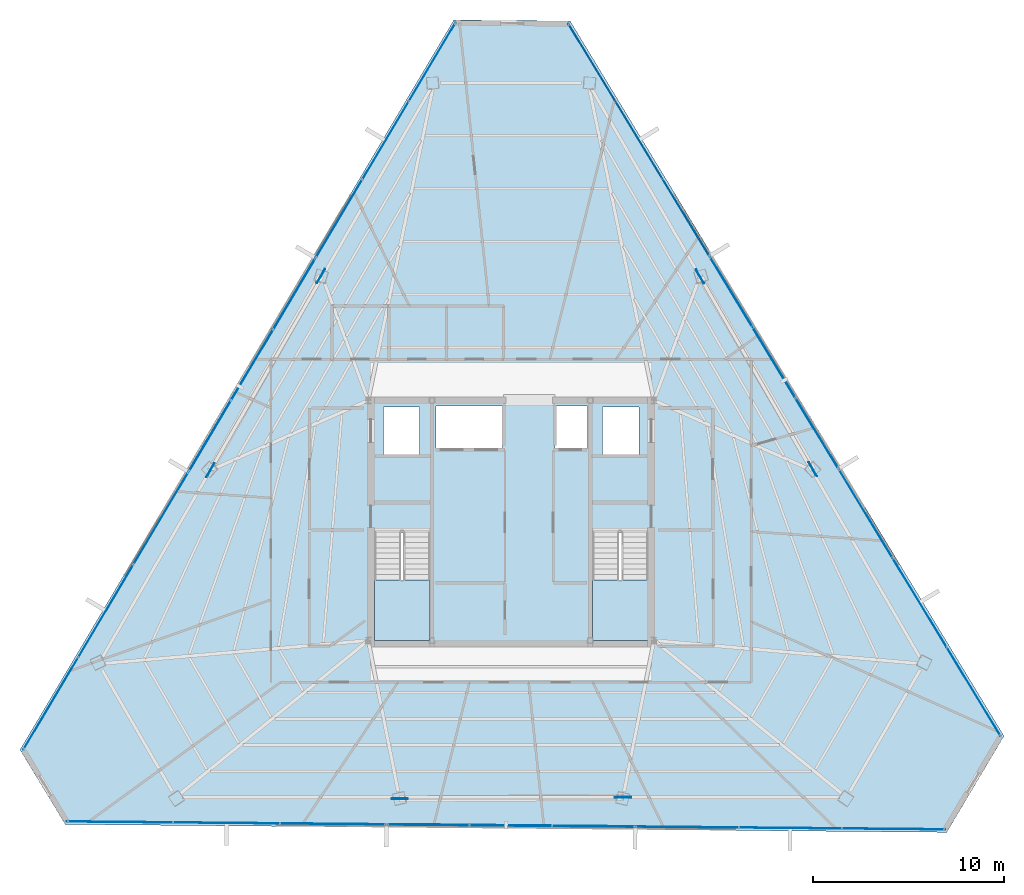
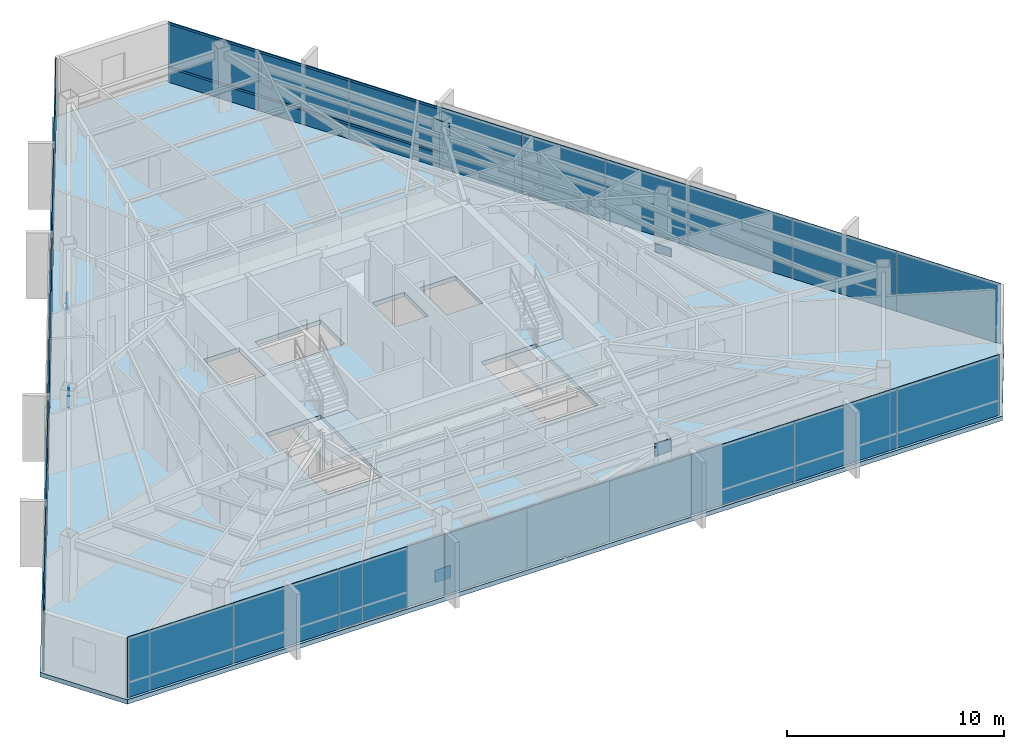
# One storey, part 35 of 42: 33 plates, 3 slabs, 2 members, 11 elements without a shape of their own.
"""IFC4 building model written with IfcOpenShell, lengths in metres."""

import ifcopenshell
import ifcopenshell.guid

model = None  # the IFC model being written
_history = None  # IfcOwnerHistory: only IFC2X3 demands one
_inside = {}  # id of a spatial element -> (the spatial element, [elements in it])
_under = {}  # id of a project, library or spatial element -> (it, [spatial elements below it])
_declared = {}  # id of a project -> (the project, [libraries it declares])
_typed = {}  # id of a type object -> (the type object, [elements of that type])
_made_of = {}  # id of a material, layer set ... -> (it, [elements and type objects made of it])


def new_model(schema):
    """Start an empty IFC model of exactly this schema.

    Asked for "IFC4X3", IfcOpenShell would pick the latest addendum, in which some entities
    have other attributes; the version numbers below select the first issue.
    IFC2X3 requires an IfcOwnerHistory on every rooted entity: one is made here for all.
    """
    global model, _history
    if schema == "IFC4X3":
        model = ifcopenshell.file(schema_version=(4, 3, 0, 0))
    else:
        model = ifcopenshell.file(schema=schema)
    _inside.clear()
    _under.clear()
    _declared.clear()
    _typed.clear()
    _made_of.clear()
    _history = None
    if model.schema == "IFC2X3":
        org = make("IfcOrganization", Name="unknown")
        user = make(
            "IfcPersonAndOrganization",
            ThePerson=make("IfcPerson", FamilyName="unknown"),
            TheOrganization=org,
        )
        app = make(
            "IfcApplication",
            ApplicationDeveloper=org,
            Version="unknown",
            ApplicationFullName="unknown",
            ApplicationIdentifier="unknown",
        )
        _history = make(
            "IfcOwnerHistory",
            OwningUser=user,
            OwningApplication=app,
            ChangeAction="ADDED",
            CreationDate=0,
        )
    return model


def make(cls, **values):
    """One entity of the class cls with the attributes given. An attribute that is None is left unset."""
    return model.create_entity(
        cls, **{name: value for name, value in values.items() if value is not None}
    )


def rooted(cls, **values):
    """An entity with a GlobalId (a new one), such as an element, a storey or a relation."""
    return make(cls, GlobalId=ifcopenshell.guid.new(), OwnerHistory=_history, **values)


def si_unit(unit_type, name, prefix=None):
    """IfcSIUnit, for example si_unit("LENGTHUNIT", "METRE", prefix="MILLI")."""
    return make("IfcSIUnit", UnitType=unit_type, Prefix=prefix, Name=name)


def assignment(units):
    """IfcUnitAssignment: the units of a project."""
    return None if units is None else make("IfcUnitAssignment", Units=units)


def point(xyz):
    """IfcCartesianPoint."""
    return None if xyz is None else make("IfcCartesianPoint", Coordinates=xyz)


def direction(xyz):
    """IfcDirection."""
    return None if xyz is None else make("IfcDirection", DirectionRatios=xyz)


def frame(location, z_axis=None, x_axis=None):
    """IfcAxis2Placement3D, a coordinate frame: its origin and axes. An axis left out is left unset."""
    return make(
        "IfcAxis2Placement3D",
        Location=point(location),
        Axis=direction(z_axis),
        RefDirection=direction(x_axis),
    )


def frame_2d(location, x_axis=None):
    """IfcAxis2Placement2D, a coordinate frame in the plane: its origin and x axis."""
    return make(
        "IfcAxis2Placement2D", Location=point(location), RefDirection=direction(x_axis)
    )


def origin():
    """The frame at (0, 0, 0) with its axes left unset."""
    return frame((0.0, 0.0, 0.0))


def origin_2d():
    """The frame at (0, 0) in the plane with its x axis left unset."""
    return frame_2d((0.0, 0.0))


def place(relative_to, where):
    """IfcLocalPlacement: puts the frame where relative to a parent placement (None: the world)."""
    return make(
        "IfcLocalPlacement", PlacementRelTo=relative_to, RelativePlacement=where
    )


def context(
    kind, dimensions, precision=None, world=None, true_north=None, identifier=None
):
    """IfcGeometricRepresentationContext, for example the 3D "Model" context."""
    return make(
        "IfcGeometricRepresentationContext",
        ContextIdentifier=identifier,
        ContextType=kind,
        CoordinateSpaceDimension=dimensions,
        Precision=precision,
        WorldCoordinateSystem=world,
        TrueNorth=true_north,
    )


def subcontext(parent, identifier, kind, view, scale=None):
    """IfcGeometricRepresentationSubContext, for example "Body" below "Model"."""
    return make(
        "IfcGeometricRepresentationSubContext",
        ContextIdentifier=identifier,
        ContextType=kind,
        ParentContext=parent,
        TargetScale=scale,
        TargetView=view,
    )


def project(units=None, contexts=None):
    """IfcProject with its units and contexts."""
    return rooted(
        "IfcProject",
        Name="project",
        RepresentationContexts=contexts,
        UnitsInContext=assignment(units),
    )


def spatial(cls, under=None, at=None, **own):
    """A site, building, storey or space (cls), placed at a placement, below another one or the project."""
    s = rooted(cls, ObjectPlacement=at, **own)
    if under is not None:
        _under.setdefault(under.id(), (under, []))[1].append(s)
    return s


def polyline(points):
    """IfcPolyline through the points."""
    return make("IfcPolyline", Points=[point(p) for p in points])


def profile(cls, at=None, kind="AREA", **sizes):
    """A parametric profile (cls). Its sizes go by their IFC names, for example OverallWidth=200.0."""
    return make(cls, ProfileType=kind, Position=at, **sizes)


def rectangle(**sizes):
    """IfcRectangleProfileDef."""
    return profile("IfcRectangleProfileDef", **sizes)


def hollow_rectangle(**sizes):
    """IfcRectangleHollowProfileDef."""
    return profile("IfcRectangleHollowProfileDef", **sizes)


def outline(outer, holes=None, kind="AREA"):
    """IfcArbitraryClosedProfileDef: a profile drawn as a closed curve; with holes, ...WithVoids."""
    if holes is None:
        return make("IfcArbitraryClosedProfileDef", ProfileType=kind, OuterCurve=outer)
    return make(
        "IfcArbitraryProfileDefWithVoids",
        ProfileType=kind,
        OuterCurve=outer,
        InnerCurves=holes,
    )


def extrude(swept, where, along, depth):
    """IfcExtrudedAreaSolid: the profile swept, set in the frame where, extruded along a direction by depth."""
    return make(
        "IfcExtrudedAreaSolid",
        SweptArea=swept,
        Position=where,
        ExtrudedDirection=direction(along),
        Depth=depth,
    )


def shape(context_of_items, identifier, shape_type, items):
    """IfcShapeRepresentation: the items that make up one representation, for example the "Body"."""
    return make(
        "IfcShapeRepresentation",
        ContextOfItems=context_of_items,
        RepresentationIdentifier=identifier,
        RepresentationType=shape_type,
        Items=items,
    )


def source(mapping_origin, context_of_items, identifier, shape_type, items):
    """IfcRepresentationMap: a shape defined once, which mapped items show again and again."""
    return make(
        "IfcRepresentationMap",
        MappingOrigin=mapping_origin,
        MappedRepresentation=shape(context_of_items, identifier, shape_type, items),
    )


def transform(
    local_origin,
    x_axis=None,
    y_axis=None,
    z_axis=None,
    scale=None,
    scale2=None,
    scale3=None,
    uniform=True,
):
    """IfcCartesianTransformationOperator3D, or its non-uniform kind. x_axis, y_axis, z_axis: its Axis1, 2, 3."""
    if uniform:
        return make(
            "IfcCartesianTransformationOperator3D",
            Axis1=direction(x_axis),
            Axis2=direction(y_axis),
            LocalOrigin=point(local_origin),
            Scale=scale,
            Axis3=direction(z_axis),
        )
    return make(
        "IfcCartesianTransformationOperator3DnonUniform",
        Axis1=direction(x_axis),
        Axis2=direction(y_axis),
        LocalOrigin=point(local_origin),
        Scale=scale,
        Axis3=direction(z_axis),
        Scale2=scale2,
        Scale3=scale3,
    )


def mapped(mapping_source, mapping_target):
    """IfcMappedItem: shows the shape of a source again, moved by a transform."""
    return make(
        "IfcMappedItem", MappingSource=mapping_source, MappingTarget=mapping_target
    )


def material(Name=None, Category=None):
    """IfcMaterial."""
    return make("IfcMaterial", Name=Name, Category=Category)


def layer(
    of_material, thickness, ventilated=None, Name=None, Category=None, Priority=None
):
    """IfcMaterialLayer: one layer of a wall or slab, of a material (None: an air gap)."""
    return make(
        "IfcMaterialLayer",
        Material=of_material,
        LayerThickness=thickness,
        IsVentilated=ventilated,
        Name=Name,
        Category=Category,
        Priority=Priority,
    )


def layer_set(layers, Name=None):
    """IfcMaterialLayerSet."""
    return make("IfcMaterialLayerSet", MaterialLayers=layers, LayerSetName=Name)


def material_profile(
    of_material, cross_section, Name=None, Category=None, Priority=None
):
    """IfcMaterialProfile: a cross section and its material."""
    return make(
        "IfcMaterialProfile",
        Name=Name,
        Material=of_material,
        Profile=cross_section,
        Priority=Priority,
        Category=Category,
    )


def profile_set(profiles, Name=None, composite=None):
    """IfcMaterialProfileSet."""
    return make(
        "IfcMaterialProfileSet",
        Name=Name,
        MaterialProfiles=profiles,
        CompositeProfile=composite,
    )


def made_of(thing, what):
    """Note that an element or type object is made of a material, layer set ...; save() writes the relation."""
    if what is not None:
        _made_of.setdefault(what.id(), (what, []))[1].append(thing)
    return thing


def type_object(cls, material=None, **own):
    """A type object (cls), such as IfcWallType, which elements share."""
    return made_of(rooted(cls, **own), material)


def type_shapes(of_type, sources):
    """Give a type object the sources (RepresentationMaps) that its elements show as mapped items."""
    of_type.RepresentationMaps = sources


def element(
    cls,
    number,
    at=None,
    inside=None,
    cuts=None,
    type_object=None,
    material=None,
    context=None,
    identifier="Body",
    shape_type=None,
    held_by="IfcProductDefinitionShape",
    body=None,
    shapes=None,
    **own,
):
    """One element of the class cls, such as IfcWall. Its Tag is "e" and its number.

    at: its placement. inside: the storey or other place that contains it. cuts: it is an
    opening in that element (IfcRelVoidsElement). A single representation is given by context,
    identifier, shape_type and body (its items); several are given by shapes. held_by: the class
    of the entity that holds the representations. save() writes the other relations.
    """
    e = rooted(cls, Tag="e%d" % number, ObjectPlacement=at, **own)
    if body is not None:
        shapes = [shape(context, identifier, shape_type, body)]
    if shapes is not None:
        e.Representation = make(held_by, Representations=shapes)
    if inside is not None:
        _inside.setdefault(inside.id(), (inside, []))[1].append(e)
    if cuts is not None:
        rooted(
            "IfcRelVoidsElement", RelatingBuildingElement=cuts, RelatedOpeningElement=e
        )
    if type_object is not None:
        _typed.setdefault(type_object.id(), (type_object, []))[1].append(e)
    return made_of(e, material)


def aggregate(whole, parts):
    """IfcRelAggregates: a whole, such as a stair, and the parts it consists of."""
    return rooted("IfcRelAggregates", RelatingObject=whole, RelatedObjects=parts)


def save(model, path):
    """Write the relations noted so far, then the file.

    IfcRelAggregates (storeys below a building ...), IfcRelContainedInSpatialStructure (elements
    in a storey), IfcRelDefinesByType, IfcRelAssociatesMaterial and IfcRelDeclares: one each for
    every whole, place, type object, material and project.
    """
    for whole, parts in _under.values():
        aggregate(whole, parts)
    for where, things in _inside.values():
        rooted(
            "IfcRelContainedInSpatialStructure",
            RelatedElements=things,
            RelatingStructure=where,
        )
    for kind, things in _typed.values():
        rooted("IfcRelDefinesByType", RelatedObjects=things, RelatingType=kind)
    for what, things in _made_of.values():
        rooted("IfcRelAssociatesMaterial", RelatedObjects=things, RelatingMaterial=what)
    for by, libraries in _declared.values():
        rooted("IfcRelDeclares", RelatingContext=by, RelatedDefinitions=libraries)
    model.write(path)


model = new_model("IFC4")

# Units and contexts
model_context = context("Model", 3, precision=1e-05, world=origin(), true_north=direction((0.0, 1.0)))
body_context = subcontext(model_context, "Body", "Model", "MODEL_VIEW")
ifc_project = project(units=[si_unit("LENGTHUNIT", "METRE"), si_unit("AREAUNIT", "SQUARE_METRE"), si_unit("VOLUMEUNIT", "CUBIC_METRE"), si_unit("PLANEANGLEUNIT", "RADIAN"), si_unit("MASSUNIT", "GRAM", prefix="KILO")], contexts=[model_context])

# Site, building, storey
site_placement = place(None, origin())
site = spatial("IfcSite", under=ifc_project, at=site_placement, CompositionType="ELEMENT")
building_placement = place(site_placement, origin())
building = spatial("IfcBuilding", under=site, at=building_placement, Name="Caelisora Broadcast Tower", CompositionType="ELEMENT")
storey_placement = place(building_placement, frame((0.0, 0.0, 244.449951171875)))
storey = spatial("IfcBuildingStorey", under=building, at=storey_placement, Name="L64", CompositionType="ELEMENT", Elevation=244.449951171875)

# Curtain wall, members
ifc_material_1 = material(Name="Unitised Aluminium and Low-E Glass Curtain Wall", Category="glass")
curtain_wall_type_1 = type_object("IfcCurtainWallType", Name="CW-Z5", PredefinedType="NOTDEFINED", material=ifc_material_1)
curtain_wall_1_placement = place(storey_placement, origin())
curtain_wall_1 = element("IfcCurtainWall", 1, at=curtain_wall_1_placement, inside=storey, type_object=curtain_wall_type_1, Name="L64 curtain wall CW-Z5", PredefinedType="NOTDEFINED")
ifc_material_2 = material(Name="Aluminium 6063-T6 Anodised Terracotta Bronze", Category="aluminium")
ifc_material_profile = material_profile(ifc_material_2, hollow_rectangle(XDim=0.06005859375, YDim=0.1201171875, WallThickness=0.0029296875, at=origin_2d()), Name="Aluminium 6063-T6 Anodised Terracotta Bronze")
ifc_profile_set = profile_set([ifc_material_profile], Name="Aluminium 6063-T6 Anodised Terracotta Bronze")
member_type = type_object("IfcMemberType", Name="CWT-03", PredefinedType="USERDEFINED", material=ifc_profile_set)
shared_shape_1 = source(origin(), body_context, "Body", "SweptSolid", [
    extrude(hollow_rectangle(XDim=0.06005859375, YDim=0.1201171875, WallThickness=0.0029296875, at=origin_2d()), origin(), (0.0, 0.0, 1.0), 14.152099609375),
])
type_shapes(member_type, [shared_shape_1])
member_1_placement = place(storey_placement, frame((41.039794921875, 49.71435546875, 0.85009765625), z_axis=(0.518741325357, -0.854931247158, 0.0), x_axis=(0.854931247158, 0.518741325357, 0.0)))
member_1 = element("IfcMember", 2, at=member_1_placement, type_object=member_type, Name="L64-CW-B01 transom #1", ObjectType="TRANSOM", PredefinedType="USERDEFINED", context=body_context, shape_type="MappedRepresentation", body=[
    mapped(shared_shape_1, transform((0.0, 0.0, 0.0), scale=1.0)),
])
member_2_placement = place(storey_placement, frame((41.039794921875, 49.71435546875, 3.320068359375), z_axis=(0.518741325357, -0.854931247158, 0.0), x_axis=(0.854931247158, 0.518741325357, 0.0)))
member_2 = element("IfcMember", 3, at=member_2_placement, type_object=member_type, Name="L64-CW-B01 transom #2", ObjectType="TRANSOM", PredefinedType="USERDEFINED", context=body_context, shape_type="MappedRepresentation", body=[
    mapped(shared_shape_1, transform((0.0, 0.0, 0.0), scale=1.0)),
])

# Slab
ifc_material_3 = material(Name="Concrete 40 MPa (AS 3600 N40)", Category="concrete")
ifc_layer_1 = layer(ifc_material_3, 0.25, Name="Concrete 40 MPa (AS 3600 N40)")
ifc_layer_set_1 = layer_set([ifc_layer_1], Name="Concrete 40 MPa (AS 3600 N40)")
slab_type_1 = type_object("IfcSlabType", Name="SL04", PredefinedType="FLOOR", material=ifc_layer_set_1)
slab_1_placement = place(storey_placement, frame((0.0, 0.0, -0.25)))
element("IfcSlab", 4, at=slab_1_placement, inside=storey, type_object=slab_type_1, Name="L64 suspended floor SL04", PredefinedType="FLOOR", context=body_context, shape_type="SweptSolid", body=[
    extrude(outline(polyline([(41.09912109375, 49.906005859375), (34.99609375, 49.9609375), (12.22900390625, 11.6640625), (14.60400390625, 7.75), (60.861083984375, 7.3330078125), (63.864990234375, 12.385009765625), (41.09912109375, 49.906005859375)]), holes=[polyline([(30.820068359375, 17.39990234375), (33.739990234375, 17.39990234375), (33.739990234375, 23.080078125), (30.820068359375, 23.080078125), (30.820068359375, 17.39990234375)]), polyline([(42.260009765625, 17.39990234375), (45.179931640625, 17.39990234375), (45.179931640625, 23.080078125), (42.260009765625, 23.080078125), (42.260009765625, 17.39990234375)]), polyline([(42.800048828125, 27.14990234375), (44.699951171875, 27.14990234375), (44.699951171875, 29.64990234375), (42.800048828125, 29.64990234375), (42.800048828125, 27.14990234375)]), polyline([(40.300048828125, 27.5), (42.0, 27.5), (42.0, 29.699951171875), (40.300048828125, 29.699951171875), (40.300048828125, 27.5)]), polyline([(34.050048828125, 27.5), (37.550048828125, 27.5), (37.550048828125, 29.699951171875), (34.050048828125, 29.699951171875), (34.050048828125, 27.5)]), polyline([(31.300048828125, 27.14990234375), (33.199951171875, 27.14990234375), (33.199951171875, 29.64990234375), (31.300048828125, 29.64990234375), (31.300048828125, 27.14990234375)])]), origin(), (0.0, 0.0, 1.0), 0.25),
])

# Stair, slab
stair_type_1 = type_object("IfcStairType", Name="ST-1", PredefinedType="HALF_TURN_STAIR", material=ifc_material_3)
stair_1_placement = place(storey_placement, origin())
stair_1 = element("IfcStair", 5, at=stair_1_placement, inside=storey, type_object=stair_type_1, Name="L64 West Fire-Isolated Tower Stair", PredefinedType="HALF_TURN_STAIR")
ifc_layer_2 = layer(ifc_material_3, 0.199951171875, Name="Concrete 40 MPa (AS 3600 N40)")
ifc_layer_set_2 = layer_set([ifc_layer_2], Name="Concrete 40 MPa (AS 3600 N40)")
slab_type_2 = type_object("IfcSlabType", Name="STL-1", PredefinedType="LANDING", material=ifc_layer_set_2)
slab_2_placement = place(storey_placement, frame((0.0, 0.0, 1.625)))
slab_2 = element("IfcSlab", 6, at=slab_2_placement, type_object=slab_type_2, Name="ST-1 landing 1", PredefinedType="LANDING", context=body_context, shape_type="SweptSolid", body=[
    extrude(outline(polyline([(30.820068359375, 20.580078125), (30.820068359375, 17.39990234375), (33.739990234375, 17.39990234375), (33.739990234375, 20.580078125), (30.820068359375, 20.580078125)])), origin(), (0.0, 0.0, 1.0), 0.199951171875),
])
aggregate(stair_1, [slab_2])

stair_type_2 = type_object("IfcStairType", Name="ST-2", PredefinedType="HALF_TURN_STAIR", material=ifc_material_3)
stair_2_placement = place(storey_placement, origin())
stair_2 = element("IfcStair", 7, at=stair_2_placement, inside=storey, type_object=stair_type_2, Name="L64 East Fire-Isolated Tower Stair", PredefinedType="HALF_TURN_STAIR")
slab_3_placement = place(storey_placement, frame((0.0, 0.0, 1.625)))
slab_3 = element("IfcSlab", 8, at=slab_3_placement, type_object=slab_type_2, Name="ST-2 landing 1", PredefinedType="LANDING", context=body_context, shape_type="SweptSolid", body=[
    extrude(outline(polyline([(42.260009765625, 20.580078125), (42.260009765625, 17.39990234375), (45.179931640625, 17.39990234375), (45.179931640625, 20.580078125), (42.260009765625, 20.580078125)])), origin(), (0.0, 0.0, 1.0), 0.199951171875),
])
aggregate(stair_2, [slab_3])

# Plates
ifc_material_4 = material(Name="Steel Grade 350 L15 (AS/NZS 3678)", Category="steel")
ifc_layer_3 = layer(ifc_material_4, 0.0400390625, Name="Steel Grade 350 L15 (AS/NZS 3678)")
ifc_layer_set_3 = layer_set([ifc_layer_3], Name="Steel Grade 350 L15 (AS/NZS 3678)")
plate_type_1 = type_object("IfcPlateType", Name="GP04", PredefinedType="USERDEFINED", material=ifc_layer_set_3)
shared_shape_2 = source(origin(), body_context, "Body", "SweptSolid", [
    extrude(rectangle(XDim=0.85009765625, YDim=0.0400390625, at=origin_2d()), origin(), (0.0, 0.0, 1.0), 0.699951171875),
])
type_shapes(plate_type_1, [shared_shape_2])
for number, where, z_axis, x_axis, name in (
    (9, (28.017578125, 36.51953125, -0.22998046875), (0.0, 0.0, 1.0), (-0.5, -0.866025403784, 0.0), "L64 gusset plate GP04 (ND-L64-C02B)"),
    (10, (22.220947265625, 26.3349609375, 2.72998046875), (0.0, 0.0, 1.0), (-0.5, -0.866025403784, 0.0), "L64 gusset plate GP04 (ND-L64-C03T)"),
    (11, (32.14892578125, 9.09521484375, -0.22998046875), (0.0, 0.0, 1.0), (1.0, 0.0, 0.0), "L64 gusset plate GP04 (ND-L64-C06B)"),
    (12, (43.867431640625, 9.16748046875, 2.72998046875), (0.0, 0.0, 1.0), (1.0, 0.0, 0.0), "L64 gusset plate GP04 (ND-L64-C07T)"),
    (13, (53.83349609375, 26.38525390625, -0.22998046875), (0.0, 0.0, 1.0), (-0.5, 0.866025403784, 0.0), "L64 gusset plate GP04 (ND-L64-C10B)"),
    (14, (47.91162109375, 36.49755859375, 2.72998046875), (0.0, 0.0, 1.0), (-0.5, 0.866025403784, 0.0), "L64 gusset plate GP04 (ND-L64-C11T)"),
):
    element("IfcPlate", number, at=place(storey_placement, frame(where, z_axis=z_axis, x_axis=x_axis)), inside=storey, type_object=plate_type_1, Name=name, ObjectType="GUSSET PLATE", PredefinedType="USERDEFINED", context=body_context, shape_type="MappedRepresentation", body=[
        mapped(shared_shape_2, transform((0.0, 0.0, 0.0), scale=1.0)),
    ])

# Plate
ifc_material_5 = material(Name="Double Glazed Low-E Argon IGU", Category="glass")
ifc_layer_4 = layer(ifc_material_5, 0.028076171875, Name="Double Glazed Low-E Argon IGU")
ifc_layer_set_4 = layer_set([ifc_layer_4], Name="Double Glazed Low-E Argon IGU")
plate_type_2 = type_object("IfcPlateType", Name="CWP-06", PredefinedType="CURTAIN_PANEL", material=ifc_layer_set_4)
shared_shape_3 = source(origin(), body_context, "Body", "SweptSolid", [
    extrude(rectangle(XDim=4.750732421875, YDim=0.028076171875, at=origin_2d()), origin(), (0.0, 0.0, 1.0), 3.39990234375),
])
plate_1_placement = place(storey_placement, frame((42.24609375, 47.726318359375, 0.0), z_axis=(0.0, 0.0, 1.0), x_axis=(0.518773258161, -0.854911870673, 0.0)))
plate_1 = element("IfcPlate", 15, at=plate_1_placement, type_object=plate_type_2, Name="L64-CW-B01 glazed panel #1", PredefinedType="CURTAIN_PANEL", context=body_context, shape_type="MappedRepresentation", body=[
    mapped(shared_shape_3, transform((0.0, 0.0, 0.0), scale=1.0)),
])

plate_2_placement = place(storey_placement, frame((44.71044921875, 43.664794921875, 0.0), z_axis=(0.0, 0.0, 1.0), x_axis=(0.518773258161, -0.854911870673, 0.0)))
plate_2 = element("IfcPlate", 16, at=plate_2_placement, type_object=plate_type_2, Name="L64-CW-B01 glazed panel #2", PredefinedType="CURTAIN_PANEL", context=body_context, shape_type="MappedRepresentation", body=[
    mapped(shared_shape_3, transform((0.0, 0.0, 0.0), scale=1.0)),
])

plate_3_placement = place(storey_placement, frame((47.1748046875, 39.603271484375, 0.0), z_axis=(0.0, 0.0, 1.0), x_axis=(0.518773258161, -0.854911870673, 0.0)))
plate_3 = element("IfcPlate", 17, at=plate_3_placement, type_object=plate_type_2, Name="L64-CW-B01 glazed panel #3", PredefinedType="CURTAIN_PANEL", context=body_context, shape_type="MappedRepresentation", body=[
    mapped(shared_shape_3, transform((0.0, 0.0, 0.0), scale=1.0)),
])

aggregate(curtain_wall_1, [member_1, member_2, plate_1, plate_2, plate_3])

# Curtain wall, plates
ifc_material_6 = material(Name="Unitised Aluminium Insulated Shadow-Box Spandrel Curtain Wall", Category="aluminium")
curtain_wall_type_2 = type_object("IfcCurtainWallType", Name="CW-SP3", PredefinedType="NOTDEFINED", material=ifc_material_6)
curtain_wall_2_placement = place(storey_placement, origin())
curtain_wall_2 = element("IfcCurtainWall", 18, at=curtain_wall_2_placement, inside=storey, type_object=curtain_wall_type_2, Name="L64 curtain wall CW-SP3", PredefinedType="NOTDEFINED")
ifc_material_7 = material(Name="Insulated Terracotta Shadow-Box Spandrel Panel", Category="aluminium")
ifc_layer_5 = layer(ifc_material_7, 0.0439453125, Name="Insulated Terracotta Shadow-Box Spandrel Panel")
ifc_layer_set_5 = layer_set([ifc_layer_5], Name="Insulated Terracotta Shadow-Box Spandrel Panel")
plate_type_3 = type_object("IfcPlateType", Name="CWP-10", PredefinedType="CURTAIN_PANEL", material=ifc_layer_set_5)
shared_shape_4 = source(origin(), body_context, "Body", "SweptSolid", [
    extrude(rectangle(XDim=4.346435546875, YDim=0.0439453125, at=origin_2d()), origin(), (0.0, 0.0, 1.0), 3.39990234375),
])
plate_4_placement = place(storey_placement, frame((49.539306640625, 35.7060546875, 0.0), z_axis=(0.0, 0.0, 1.0), x_axis=(0.518773258161, -0.854911870673, 0.0)))
plate_4 = element("IfcPlate", 19, at=plate_4_placement, type_object=plate_type_3, Name="L64-CW-B02 spandrel panel #1", PredefinedType="CURTAIN_PANEL", context=body_context, shape_type="MappedRepresentation", body=[
    mapped(shared_shape_4, transform((0.0, 0.0, 0.0), scale=1.0)),
])
plate_5_placement = place(storey_placement, frame((51.794189453125, 31.989990234375, 0.0), z_axis=(0.0, 0.0, 1.0), x_axis=(0.518773258161, -0.854911870673, 0.0)))
plate_5 = element("IfcPlate", 20, at=plate_5_placement, type_object=plate_type_3, Name="L64-CW-B02 spandrel panel #2", PredefinedType="CURTAIN_PANEL", context=body_context, shape_type="MappedRepresentation", body=[
    mapped(shared_shape_4, transform((0.0, 0.0, 0.0), scale=1.0)),
])
plate_6_placement = place(storey_placement, frame((54.048583984375, 28.274169921875, 0.0), z_axis=(0.0, 0.0, 1.0), x_axis=(0.518773258161, -0.854911870673, 0.0)))
plate_6 = element("IfcPlate", 21, at=plate_6_placement, type_object=plate_type_3, Name="L64-CW-B02 spandrel panel #3", PredefinedType="CURTAIN_PANEL", context=body_context, shape_type="MappedRepresentation", body=[
    mapped(shared_shape_4, transform((0.0, 0.0, 0.0), scale=1.0)),
])
aggregate(curtain_wall_2, [plate_4, plate_5, plate_6])

curtain_wall_3_placement = place(storey_placement, origin())
curtain_wall_3 = element("IfcCurtainWall", 22, at=curtain_wall_3_placement, inside=storey, type_object=curtain_wall_type_1, Name="L64 curtain wall CW-Z5", PredefinedType="NOTDEFINED")
shared_shape_5 = source(origin(), body_context, "Body", "SweptSolid", [
    extrude(rectangle(XDim=5.4677734375, YDim=0.028076171875, at=origin_2d()), origin(), (0.0, 0.0, 1.0), 3.39990234375),
])
plate_7_placement = place(storey_placement, frame((56.599365234375, 24.0703125, 0.0), z_axis=(0.0, 0.0, 1.0), x_axis=(0.518773258161, -0.854911870673, 0.0)))
plate_7 = element("IfcPlate", 23, at=plate_7_placement, type_object=plate_type_2, Name="L64-CW-B03 glazed panel #1", PredefinedType="CURTAIN_PANEL", context=body_context, shape_type="MappedRepresentation", body=[
    mapped(shared_shape_5, transform((0.0, 0.0, 0.0), scale=1.0)),
])
plate_8_placement = place(storey_placement, frame((59.435546875, 19.395751953125, 0.0), z_axis=(0.0, 0.0, 1.0), x_axis=(0.518773258161, -0.854911870673, 0.0)))
plate_8 = element("IfcPlate", 24, at=plate_8_placement, type_object=plate_type_2, Name="L64-CW-B03 glazed panel #2", PredefinedType="CURTAIN_PANEL", context=body_context, shape_type="MappedRepresentation", body=[
    mapped(shared_shape_5, transform((0.0, 0.0, 0.0), scale=1.0)),
])
plate_9_placement = place(storey_placement, frame((62.27197265625, 14.72119140625, 0.0), z_axis=(0.0, 0.0, 1.0), x_axis=(0.518773258161, -0.854911870673, 0.0)))
plate_9 = element("IfcPlate", 25, at=plate_9_placement, type_object=plate_type_2, Name="L64-CW-B03 glazed panel #3", PredefinedType="CURTAIN_PANEL", context=body_context, shape_type="MappedRepresentation", body=[
    mapped(shared_shape_5, transform((0.0, 0.0, 0.0), scale=1.0)),
])
aggregate(curtain_wall_3, [plate_7, plate_8, plate_9])

curtain_wall_4_placement = place(storey_placement, origin())
curtain_wall_4 = element("IfcCurtainWall", 26, at=curtain_wall_4_placement, inside=storey, type_object=curtain_wall_type_1, Name="L64 curtain wall CW-Z5", PredefinedType="NOTDEFINED")
shared_shape_6 = source(origin(), body_context, "Body", "SweptSolid", [
    extrude(rectangle(XDim=5.419677734375, YDim=0.028076171875, at=origin_2d()), origin(), (0.0, 0.0, 1.0), 3.39990234375),
])
plate_10_placement = place(storey_placement, frame((58.06640625, 7.50830078125, 0.0), z_axis=(0.0, 0.0, 1.0), x_axis=(-0.999958816008, 0.009075587519, 0.0)))
plate_10 = element("IfcPlate", 27, at=plate_10_placement, type_object=plate_type_2, Name="L64-CW-B05 glazed panel #1", PredefinedType="CURTAIN_PANEL", context=body_context, shape_type="MappedRepresentation", body=[
    mapped(shared_shape_6, transform((0.0, 0.0, 0.0), scale=1.0)),
])
plate_11_placement = place(storey_placement, frame((52.64697265625, 7.55712890625, 0.0), z_axis=(0.0, 0.0, 1.0), x_axis=(-0.999958816008, 0.009075587519, 0.0)))
plate_11 = element("IfcPlate", 28, at=plate_11_placement, type_object=plate_type_2, Name="L64-CW-B05 glazed panel #2", PredefinedType="CURTAIN_PANEL", context=body_context, shape_type="MappedRepresentation", body=[
    mapped(shared_shape_6, transform((0.0, 0.0, 0.0), scale=1.0)),
])
plate_12_placement = place(storey_placement, frame((47.2275390625, 7.60595703125, 0.0), z_axis=(0.0, 0.0, 1.0), x_axis=(-0.999958816008, 0.009075587519, 0.0)))
plate_12 = element("IfcPlate", 29, at=plate_12_placement, type_object=plate_type_2, Name="L64-CW-B05 glazed panel #3", PredefinedType="CURTAIN_PANEL", context=body_context, shape_type="MappedRepresentation", body=[
    mapped(shared_shape_6, transform((0.0, 0.0, 0.0), scale=1.0)),
])
aggregate(curtain_wall_4, [plate_10, plate_11, plate_12])

curtain_wall_5_placement = place(storey_placement, origin())
curtain_wall_5 = element("IfcCurtainWall", 30, at=curtain_wall_5_placement, inside=storey, type_object=curtain_wall_type_2, Name="L64 curtain wall CW-SP3", PredefinedType="NOTDEFINED")
shared_shape_7 = source(origin(), body_context, "Body", "SweptSolid", [
    extrude(rectangle(XDim=4.34716796875, YDim=0.0439453125, at=origin_2d()), origin(), (0.0, 0.0, 1.0), 3.39990234375),
])
plate_13_placement = place(storey_placement, frame((42.334228515625, 7.650146484375, 0.0), z_axis=(0.0, 0.0, 1.0), x_axis=(-0.999958816008, 0.009075587519, 0.0)))
plate_13 = element("IfcPlate", 31, at=plate_13_placement, type_object=plate_type_3, Name="L64-CW-B06 spandrel panel #1", PredefinedType="CURTAIN_PANEL", context=body_context, shape_type="MappedRepresentation", body=[
    mapped(shared_shape_7, transform((0.0, 0.0, 0.0), scale=1.0)),
])
plate_14_placement = place(storey_placement, frame((37.9873046875, 7.689208984375, 0.0), z_axis=(0.0, 0.0, 1.0), x_axis=(-0.999958816008, 0.009075587519, 0.0)))
plate_14 = element("IfcPlate", 32, at=plate_14_placement, type_object=plate_type_3, Name="L64-CW-B06 spandrel panel #2", PredefinedType="CURTAIN_PANEL", context=body_context, shape_type="MappedRepresentation", body=[
    mapped(shared_shape_7, transform((0.0, 0.0, 0.0), scale=1.0)),
])
plate_15_placement = place(storey_placement, frame((33.640380859375, 7.728271484375, 0.0), z_axis=(0.0, 0.0, 1.0), x_axis=(-0.999958816008, 0.009075587519, 0.0)))
plate_15 = element("IfcPlate", 33, at=plate_15_placement, type_object=plate_type_3, Name="L64-CW-B06 spandrel panel #3", PredefinedType="CURTAIN_PANEL", context=body_context, shape_type="MappedRepresentation", body=[
    mapped(shared_shape_7, transform((0.0, 0.0, 0.0), scale=1.0)),
])
aggregate(curtain_wall_5, [plate_13, plate_14, plate_15])

curtain_wall_6_placement = place(storey_placement, origin())
curtain_wall_6 = element("IfcCurtainWall", 34, at=curtain_wall_6_placement, inside=storey, type_object=curtain_wall_type_1, Name="L64 curtain wall CW-Z5", PredefinedType="NOTDEFINED")
shared_shape_8 = source(origin(), body_context, "Body", "SweptSolid", [
    extrude(rectangle(XDim=5.589599609375, YDim=0.028076171875, at=origin_2d()), origin(), (0.0, 0.0, 1.0), 3.39990234375),
])
plate_16_placement = place(storey_placement, frame((28.662109375, 7.773193359375, 0.0), z_axis=(0.0, 0.0, 1.0), x_axis=(-0.999958816008, 0.009075587519, 0.0)))
plate_16 = element("IfcPlate", 35, at=plate_16_placement, type_object=plate_type_2, Name="L64-CW-B07 glazed panel #1", PredefinedType="CURTAIN_PANEL", context=body_context, shape_type="MappedRepresentation", body=[
    mapped(shared_shape_8, transform((0.0, 0.0, 0.0), scale=1.0)),
])
plate_17_placement = place(storey_placement, frame((23.072998046875, 7.823486328125, 0.0), z_axis=(0.0, 0.0, 1.0), x_axis=(-0.999958816008, 0.009075587519, 0.0)))
plate_17 = element("IfcPlate", 36, at=plate_17_placement, type_object=plate_type_2, Name="L64-CW-B07 glazed panel #2", PredefinedType="CURTAIN_PANEL", context=body_context, shape_type="MappedRepresentation", body=[
    mapped(shared_shape_8, transform((0.0, 0.0, 0.0), scale=1.0)),
])
plate_18_placement = place(storey_placement, frame((17.483642578125, 7.873779296875, 0.0), z_axis=(0.0, 0.0, 1.0), x_axis=(-0.999958816008, 0.009075587519, 0.0)))
plate_18 = element("IfcPlate", 37, at=plate_18_placement, type_object=plate_type_2, Name="L64-CW-B07 glazed panel #3", PredefinedType="CURTAIN_PANEL", context=body_context, shape_type="MappedRepresentation", body=[
    mapped(shared_shape_8, transform((0.0, 0.0, 0.0), scale=1.0)),
])
aggregate(curtain_wall_6, [plate_16, plate_17, plate_18])

curtain_wall_7_placement = place(storey_placement, origin())
curtain_wall_7 = element("IfcCurtainWall", 38, at=curtain_wall_7_placement, inside=storey, type_object=curtain_wall_type_1, Name="L64 curtain wall CW-Z5", PredefinedType="NOTDEFINED")
shared_shape_9 = source(origin(), body_context, "Body", "SweptSolid", [
    extrude(rectangle(XDim=5.654052734375, YDim=0.028076171875, at=origin_2d()), origin(), (0.0, 0.0, 1.0), 3.39990234375),
])
plate_19_placement = place(storey_placement, frame((13.8486328125, 14.094970703125, 0.0), z_axis=(0.0, 0.0, 1.0), x_axis=(0.510993065504, 0.859584834096, 0.0)))
plate_19 = element("IfcPlate", 39, at=plate_19_placement, type_object=plate_type_2, Name="L64-CW-B09 glazed panel #1", PredefinedType="CURTAIN_PANEL", context=body_context, shape_type="MappedRepresentation", body=[
    mapped(shared_shape_9, transform((0.0, 0.0, 0.0), scale=1.0)),
])
plate_20_placement = place(storey_placement, frame((16.73779296875, 18.955078125, 0.0), z_axis=(0.0, 0.0, 1.0), x_axis=(0.510993065504, 0.859584834096, 0.0)))
plate_20 = element("IfcPlate", 40, at=plate_20_placement, type_object=plate_type_2, Name="L64-CW-B09 glazed panel #2", PredefinedType="CURTAIN_PANEL", context=body_context, shape_type="MappedRepresentation", body=[
    mapped(shared_shape_9, transform((0.0, 0.0, 0.0), scale=1.0)),
])
plate_21_placement = place(storey_placement, frame((19.627197265625, 23.815185546875, 0.0), z_axis=(0.0, 0.0, 1.0), x_axis=(0.510993065504, 0.859584834096, 0.0)))
plate_21 = element("IfcPlate", 41, at=plate_21_placement, type_object=plate_type_2, Name="L64-CW-B09 glazed panel #3", PredefinedType="CURTAIN_PANEL", context=body_context, shape_type="MappedRepresentation", body=[
    mapped(shared_shape_9, transform((0.0, 0.0, 0.0), scale=1.0)),
])
aggregate(curtain_wall_7, [plate_19, plate_20, plate_21])

curtain_wall_8_placement = place(storey_placement, origin())
curtain_wall_8 = element("IfcCurtainWall", 42, at=curtain_wall_8_placement, inside=storey, type_object=curtain_wall_type_2, Name="L64 curtain wall CW-SP3", PredefinedType="NOTDEFINED")
shared_shape_10 = source(origin(), body_context, "Body", "SweptSolid", [
    extrude(rectangle(XDim=4.346923828125, YDim=0.0439453125, at=origin_2d()), origin(), (0.0, 0.0, 1.0), 3.39990234375),
])
type_shapes(plate_type_3, [shared_shape_4, shared_shape_7, shared_shape_10])
plate_22_placement = place(storey_placement, frame((22.1875, 28.1220703125, 0.0), z_axis=(0.0, 0.0, 1.0), x_axis=(0.510993065504, 0.859584834096, 0.0)))
plate_22 = element("IfcPlate", 43, at=plate_22_placement, type_object=plate_type_3, Name="L64-CW-B10 spandrel panel #1", PredefinedType="CURTAIN_PANEL", context=body_context, shape_type="MappedRepresentation", body=[
    mapped(shared_shape_10, transform((0.0, 0.0, 0.0), scale=1.0)),
])
plate_23_placement = place(storey_placement, frame((24.408935546875, 31.8583984375, 0.0), z_axis=(0.0, 0.0, 1.0), x_axis=(0.510993065504, 0.859584834096, 0.0)))
plate_23 = element("IfcPlate", 44, at=plate_23_placement, type_object=plate_type_3, Name="L64-CW-B10 spandrel panel #2", PredefinedType="CURTAIN_PANEL", context=body_context, shape_type="MappedRepresentation", body=[
    mapped(shared_shape_10, transform((0.0, 0.0, 0.0), scale=1.0)),
])
plate_24_placement = place(storey_placement, frame((26.63037109375, 35.59521484375, 0.0), z_axis=(0.0, 0.0, 1.0), x_axis=(0.510993065504, 0.859584834096, 0.0)))
plate_24 = element("IfcPlate", 45, at=plate_24_placement, type_object=plate_type_3, Name="L64-CW-B10 spandrel panel #3", PredefinedType="CURTAIN_PANEL", context=body_context, shape_type="MappedRepresentation", body=[
    mapped(shared_shape_10, transform((0.0, 0.0, 0.0), scale=1.0)),
])
aggregate(curtain_wall_8, [plate_22, plate_23, plate_24])

curtain_wall_9_placement = place(storey_placement, origin())
curtain_wall_9 = element("IfcCurtainWall", 46, at=curtain_wall_9_placement, inside=storey, type_object=curtain_wall_type_1, Name="L64 curtain wall CW-Z5", PredefinedType="NOTDEFINED")
shared_shape_11 = source(origin(), body_context, "Body", "SweptSolid", [
    extrude(rectangle(XDim=4.784423828125, YDim=0.028076171875, at=origin_2d()), origin(), (0.0, 0.0, 1.0), 3.39990234375),
])
type_shapes(plate_type_2, [shared_shape_3, shared_shape_5, shared_shape_6, shared_shape_8, shared_shape_9, shared_shape_11])
plate_25_placement = place(storey_placement, frame((28.968505859375, 39.5283203125, 0.0), z_axis=(0.0, 0.0, 1.0), x_axis=(0.510993065504, 0.859584834096, 0.0)))
plate_25 = element("IfcPlate", 47, at=plate_25_placement, type_object=plate_type_2, Name="L64-CW-B11 glazed panel #1", PredefinedType="CURTAIN_PANEL", context=body_context, shape_type="MappedRepresentation", body=[
    mapped(shared_shape_11, transform((0.0, 0.0, 0.0), scale=1.0)),
])
plate_26_placement = place(storey_placement, frame((31.41357421875, 43.64111328125, 0.0), z_axis=(0.0, 0.0, 1.0), x_axis=(0.510993065504, 0.859584834096, 0.0)))
plate_26 = element("IfcPlate", 48, at=plate_26_placement, type_object=plate_type_2, Name="L64-CW-B11 glazed panel #2", PredefinedType="CURTAIN_PANEL", context=body_context, shape_type="MappedRepresentation", body=[
    mapped(shared_shape_11, transform((0.0, 0.0, 0.0), scale=1.0)),
])
plate_27_placement = place(storey_placement, frame((33.8583984375, 47.753662109375, 0.0), z_axis=(0.0, 0.0, 1.0), x_axis=(0.510993065504, 0.859584834096, 0.0)))
plate_27 = element("IfcPlate", 49, at=plate_27_placement, type_object=plate_type_2, Name="L64-CW-B11 glazed panel #3", PredefinedType="CURTAIN_PANEL", context=body_context, shape_type="MappedRepresentation", body=[
    mapped(shared_shape_11, transform((0.0, 0.0, 0.0), scale=1.0)),
])
aggregate(curtain_wall_9, [plate_25, plate_26, plate_27])

save(model, "model.ifc")
